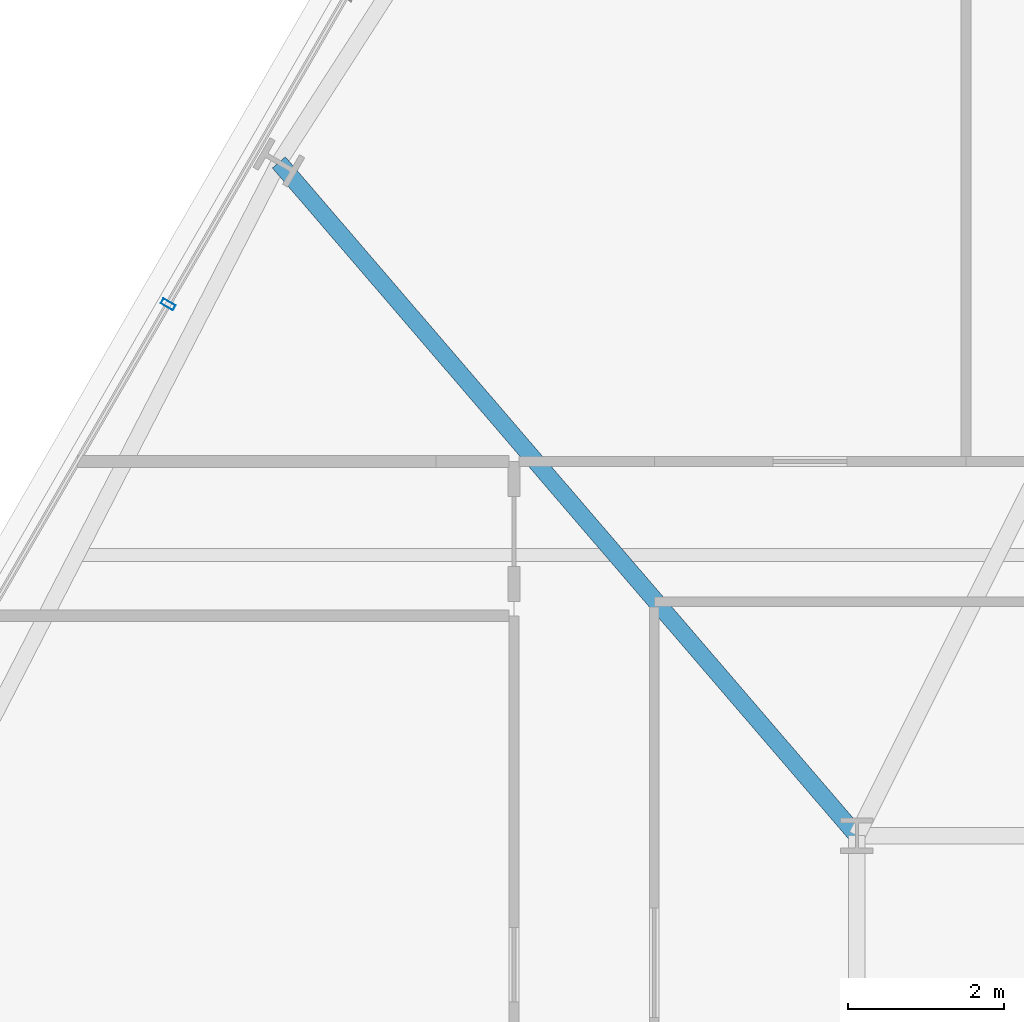
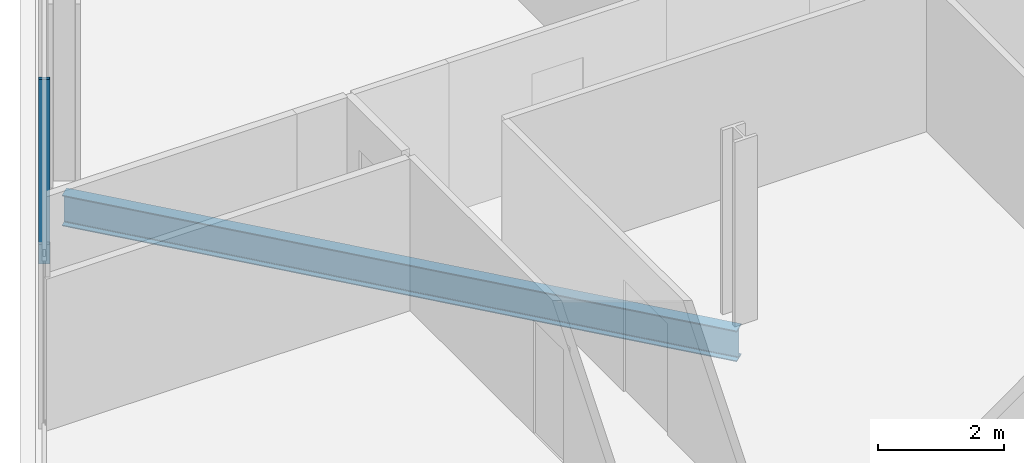
# One storey, part 12 of 32: 1 beam, 1 member, 1 element without a shape of its own.
"""IFC4 building model written with IfcOpenShell, lengths in metres."""

import ifcopenshell
import ifcopenshell.guid

model = None  # the IFC model being written
_history = None  # IfcOwnerHistory: only IFC2X3 demands one
_inside = {}  # id of a spatial element -> (the spatial element, [elements in it])
_under = {}  # id of a project, library or spatial element -> (it, [spatial elements below it])
_declared = {}  # id of a project -> (the project, [libraries it declares])
_typed = {}  # id of a type object -> (the type object, [elements of that type])
_made_of = {}  # id of a material, layer set ... -> (it, [elements and type objects made of it])


def new_model(schema):
    """Start an empty IFC model of exactly this schema.

    Asked for "IFC4X3", IfcOpenShell would pick the latest addendum, in which some entities
    have other attributes; the version numbers below select the first issue.
    IFC2X3 requires an IfcOwnerHistory on every rooted entity: one is made here for all.
    """
    global model, _history
    if schema == "IFC4X3":
        model = ifcopenshell.file(schema_version=(4, 3, 0, 0))
    else:
        model = ifcopenshell.file(schema=schema)
    _inside.clear()
    _under.clear()
    _declared.clear()
    _typed.clear()
    _made_of.clear()
    _history = None
    if model.schema == "IFC2X3":
        org = make("IfcOrganization", Name="unknown")
        user = make(
            "IfcPersonAndOrganization",
            ThePerson=make("IfcPerson", FamilyName="unknown"),
            TheOrganization=org,
        )
        app = make(
            "IfcApplication",
            ApplicationDeveloper=org,
            Version="unknown",
            ApplicationFullName="unknown",
            ApplicationIdentifier="unknown",
        )
        _history = make(
            "IfcOwnerHistory",
            OwningUser=user,
            OwningApplication=app,
            ChangeAction="ADDED",
            CreationDate=0,
        )
    return model


def make(cls, **values):
    """One entity of the class cls with the attributes given. An attribute that is None is left unset."""
    return model.create_entity(
        cls, **{name: value for name, value in values.items() if value is not None}
    )


def rooted(cls, **values):
    """An entity with a GlobalId (a new one), such as an element, a storey or a relation."""
    return make(cls, GlobalId=ifcopenshell.guid.new(), OwnerHistory=_history, **values)


def si_unit(unit_type, name, prefix=None):
    """IfcSIUnit, for example si_unit("LENGTHUNIT", "METRE", prefix="MILLI")."""
    return make("IfcSIUnit", UnitType=unit_type, Prefix=prefix, Name=name)


def assignment(units):
    """IfcUnitAssignment: the units of a project."""
    return None if units is None else make("IfcUnitAssignment", Units=units)


def point(xyz):
    """IfcCartesianPoint."""
    return None if xyz is None else make("IfcCartesianPoint", Coordinates=xyz)


def direction(xyz):
    """IfcDirection."""
    return None if xyz is None else make("IfcDirection", DirectionRatios=xyz)


def frame(location, z_axis=None, x_axis=None):
    """IfcAxis2Placement3D, a coordinate frame: its origin and axes. An axis left out is left unset."""
    return make(
        "IfcAxis2Placement3D",
        Location=point(location),
        Axis=direction(z_axis),
        RefDirection=direction(x_axis),
    )


def frame_2d(location, x_axis=None):
    """IfcAxis2Placement2D, a coordinate frame in the plane: its origin and x axis."""
    return make(
        "IfcAxis2Placement2D", Location=point(location), RefDirection=direction(x_axis)
    )


def origin():
    """The frame at (0, 0, 0) with its axes left unset."""
    return frame((0.0, 0.0, 0.0))


def origin_2d():
    """The frame at (0, 0) in the plane with its x axis left unset."""
    return frame_2d((0.0, 0.0))


def place(relative_to, where):
    """IfcLocalPlacement: puts the frame where relative to a parent placement (None: the world)."""
    return make(
        "IfcLocalPlacement", PlacementRelTo=relative_to, RelativePlacement=where
    )


def context(
    kind, dimensions, precision=None, world=None, true_north=None, identifier=None
):
    """IfcGeometricRepresentationContext, for example the 3D "Model" context."""
    return make(
        "IfcGeometricRepresentationContext",
        ContextIdentifier=identifier,
        ContextType=kind,
        CoordinateSpaceDimension=dimensions,
        Precision=precision,
        WorldCoordinateSystem=world,
        TrueNorth=true_north,
    )


def subcontext(parent, identifier, kind, view, scale=None):
    """IfcGeometricRepresentationSubContext, for example "Body" below "Model"."""
    return make(
        "IfcGeometricRepresentationSubContext",
        ContextIdentifier=identifier,
        ContextType=kind,
        ParentContext=parent,
        TargetScale=scale,
        TargetView=view,
    )


def project(units=None, contexts=None):
    """IfcProject with its units and contexts."""
    return rooted(
        "IfcProject",
        Name="project",
        RepresentationContexts=contexts,
        UnitsInContext=assignment(units),
    )


def spatial(cls, under=None, at=None, **own):
    """A site, building, storey or space (cls), placed at a placement, below another one or the project."""
    s = rooted(cls, ObjectPlacement=at, **own)
    if under is not None:
        _under.setdefault(under.id(), (under, []))[1].append(s)
    return s


def profile(cls, at=None, kind="AREA", **sizes):
    """A parametric profile (cls). Its sizes go by their IFC names, for example OverallWidth=200.0."""
    return make(cls, ProfileType=kind, Position=at, **sizes)


def hollow_rectangle(**sizes):
    """IfcRectangleHollowProfileDef."""
    return profile("IfcRectangleHollowProfileDef", **sizes)


def i_section(**sizes):
    """IfcIShapeProfileDef."""
    return profile("IfcIShapeProfileDef", **sizes)


def extrude(swept, where, along, depth):
    """IfcExtrudedAreaSolid: the profile swept, set in the frame where, extruded along a direction by depth."""
    return make(
        "IfcExtrudedAreaSolid",
        SweptArea=swept,
        Position=where,
        ExtrudedDirection=direction(along),
        Depth=depth,
    )


def shape(context_of_items, identifier, shape_type, items):
    """IfcShapeRepresentation: the items that make up one representation, for example the "Body"."""
    return make(
        "IfcShapeRepresentation",
        ContextOfItems=context_of_items,
        RepresentationIdentifier=identifier,
        RepresentationType=shape_type,
        Items=items,
    )


def material(Name=None, Category=None):
    """IfcMaterial."""
    return make("IfcMaterial", Name=Name, Category=Category)


def layer(
    of_material, thickness, ventilated=None, Name=None, Category=None, Priority=None
):
    """IfcMaterialLayer: one layer of a wall or slab, of a material (None: an air gap)."""
    return make(
        "IfcMaterialLayer",
        Material=of_material,
        LayerThickness=thickness,
        IsVentilated=ventilated,
        Name=Name,
        Category=Category,
        Priority=Priority,
    )


def layer_set(layers, Name=None):
    """IfcMaterialLayerSet."""
    return make("IfcMaterialLayerSet", MaterialLayers=layers, LayerSetName=Name)


def material_profile(
    of_material, cross_section, Name=None, Category=None, Priority=None
):
    """IfcMaterialProfile: a cross section and its material."""
    return make(
        "IfcMaterialProfile",
        Name=Name,
        Material=of_material,
        Profile=cross_section,
        Priority=Priority,
        Category=Category,
    )


def profile_set(profiles, Name=None, composite=None):
    """IfcMaterialProfileSet."""
    return make(
        "IfcMaterialProfileSet",
        Name=Name,
        MaterialProfiles=profiles,
        CompositeProfile=composite,
    )


def made_of(thing, what):
    """Note that an element or type object is made of a material, layer set ...; save() writes the relation."""
    if what is not None:
        _made_of.setdefault(what.id(), (what, []))[1].append(thing)
    return thing


def type_object(cls, material=None, **own):
    """A type object (cls), such as IfcWallType, which elements share."""
    return made_of(rooted(cls, **own), material)


def element(
    cls,
    number,
    at=None,
    inside=None,
    cuts=None,
    type_object=None,
    material=None,
    context=None,
    identifier="Body",
    shape_type=None,
    held_by="IfcProductDefinitionShape",
    body=None,
    shapes=None,
    **own,
):
    """One element of the class cls, such as IfcWall. Its Tag is "e" and its number.

    at: its placement. inside: the storey or other place that contains it. cuts: it is an
    opening in that element (IfcRelVoidsElement). A single representation is given by context,
    identifier, shape_type and body (its items); several are given by shapes. held_by: the class
    of the entity that holds the representations. save() writes the other relations.
    """
    e = rooted(cls, Tag="e%d" % number, ObjectPlacement=at, **own)
    if body is not None:
        shapes = [shape(context, identifier, shape_type, body)]
    if shapes is not None:
        e.Representation = make(held_by, Representations=shapes)
    if inside is not None:
        _inside.setdefault(inside.id(), (inside, []))[1].append(e)
    if cuts is not None:
        rooted(
            "IfcRelVoidsElement", RelatingBuildingElement=cuts, RelatedOpeningElement=e
        )
    if type_object is not None:
        _typed.setdefault(type_object.id(), (type_object, []))[1].append(e)
    return made_of(e, material)


def aggregate(whole, parts):
    """IfcRelAggregates: a whole, such as a stair, and the parts it consists of."""
    return rooted("IfcRelAggregates", RelatingObject=whole, RelatedObjects=parts)


def save(model, path):
    """Write the relations noted so far, then the file.

    IfcRelAggregates (storeys below a building ...), IfcRelContainedInSpatialStructure (elements
    in a storey), IfcRelDefinesByType, IfcRelAssociatesMaterial and IfcRelDeclares: one each for
    every whole, place, type object, material and project.
    """
    for whole, parts in _under.values():
        aggregate(whole, parts)
    for where, things in _inside.values():
        rooted(
            "IfcRelContainedInSpatialStructure",
            RelatedElements=things,
            RelatingStructure=where,
        )
    for kind, things in _typed.values():
        rooted("IfcRelDefinesByType", RelatedObjects=things, RelatingType=kind)
    for what, things in _made_of.values():
        rooted("IfcRelAssociatesMaterial", RelatedObjects=things, RelatingMaterial=what)
    for by, libraries in _declared.values():
        rooted("IfcRelDeclares", RelatingContext=by, RelatedDefinitions=libraries)
    model.write(path)


model = new_model("IFC4")

# Units and contexts
model_context = context("Model", 3, precision=1e-05, world=origin(), true_north=direction((0.0, 1.0)))
body_context = subcontext(model_context, "Body", "Model", "MODEL_VIEW")
ifc_project = project(units=[si_unit("LENGTHUNIT", "METRE"), si_unit("AREAUNIT", "SQUARE_METRE"), si_unit("VOLUMEUNIT", "CUBIC_METRE"), si_unit("PLANEANGLEUNIT", "RADIAN"), si_unit("MASSUNIT", "GRAM", prefix="KILO")], contexts=[model_context])

# Site, building, storey
site_placement = place(None, origin())
site = spatial("IfcSite", under=ifc_project, at=site_placement, CompositionType="ELEMENT")
building_placement = place(site_placement, origin())
building = spatial("IfcBuilding", under=site, at=building_placement, Name="Ndaravel Arena Tower", CompositionType="ELEMENT")
storey_placement = place(building_placement, frame((0.0, 0.0, 70.199951171875)))
storey = spatial("IfcBuildingStorey", under=building, at=storey_placement, Name="L15", CompositionType="ELEMENT", Elevation=70.199951171875)

# Beam
ifc_material_1 = material(Name="Steel S355", Category="steel")
ifc_material_profile_1 = material_profile(ifc_material_1, i_section(OverallWidth=0.219970703125, OverallDepth=0.60009765625, WebThickness=0.011962890625, FlangeThickness=0.01904296875, FilletRadius=0.02392578125, at=origin_2d()), Name="IPE 600")
ifc_profile_set_1 = profile_set([ifc_material_profile_1], Name="Steel S355")
beam_type = type_object("IfcBeamType", Name="BM-GIRD-IPE600", PredefinedType="BEAM", material=ifc_profile_set_1)
beam_placement = place(storey_placement, frame((26.783203125, 31.836181640625, -0.52001953125), z_axis=(0.651513436651, -0.758637094969, 0.0), x_axis=(0.758637094969, 0.651513436651, 0.0)))
element("IfcBeam", 1, at=beam_placement, inside=storey, type_object=beam_type, Name="L15 Radial Floor Girder FG-19", PredefinedType="BEAM", context=body_context, shape_type="SweptSolid", body=[
    extrude(i_section(OverallWidth=0.219970703125, OverallDepth=0.60009765625, WebThickness=0.011962890625, FlangeThickness=0.01904296875, FilletRadius=0.02392578125, at=origin_2d()), origin(), (0.0, 0.0, 1.0), 11.3837890625),
])

# Curtain wall, member
ifc_material_2 = material(Name="Aluminium", Category="aluminium")
ifc_layer = layer(ifc_material_2, 0.179931640625)
ifc_layer_set = layer_set([ifc_layer], Name="Aluminium")
curtain_wall_type = type_object("IfcCurtainWallType", Name="CW-SYS-03", PredefinedType="NOTDEFINED", material=ifc_layer_set)
curtain_wall_placement = place(storey_placement, origin())
curtain_wall = element("IfcCurtainWall", 2, at=curtain_wall_placement, inside=storey, type_object=curtain_wall_type, Name="L15 Faceted Crystal Curtain Wall CW-L15-E05", PredefinedType="NOTDEFINED")
ifc_material_3 = material(Name="Aluminium", Category="aluminium")
ifc_material_profile_2 = material_profile(ifc_material_3, hollow_rectangle(XDim=0.074951171875, YDim=0.179931640625, WallThickness=0.00390625, at=origin_2d()), Name="CW MULLION 75x180x4")
ifc_profile_set_2 = profile_set([ifc_material_profile_2], Name="Aluminium")
member_type = type_object("IfcMemberType", Name="MEM-CW-MUL180", PredefinedType="MULLION", material=ifc_profile_set_2)
member_placement = place(storey_placement, frame((25.362060546875, 30.014892578125, 0.0), z_axis=(0.0, 0.0, 1.0), x_axis=(-0.5, -0.866025403784, 0.0)))
member = element("IfcMember", 3, at=member_placement, type_object=member_type, Name="CW-L15-E05 Mullion 04", PredefinedType="MULLION", context=body_context, shape_type="SweptSolid", body=[
    extrude(hollow_rectangle(XDim=0.074951171875, YDim=0.179931640625, WallThickness=0.00390625, at=origin_2d()), origin(), (0.0, 0.0, 1.0), 3.580078125),
])
aggregate(curtain_wall, [member])

save(model, "model.ifc")
